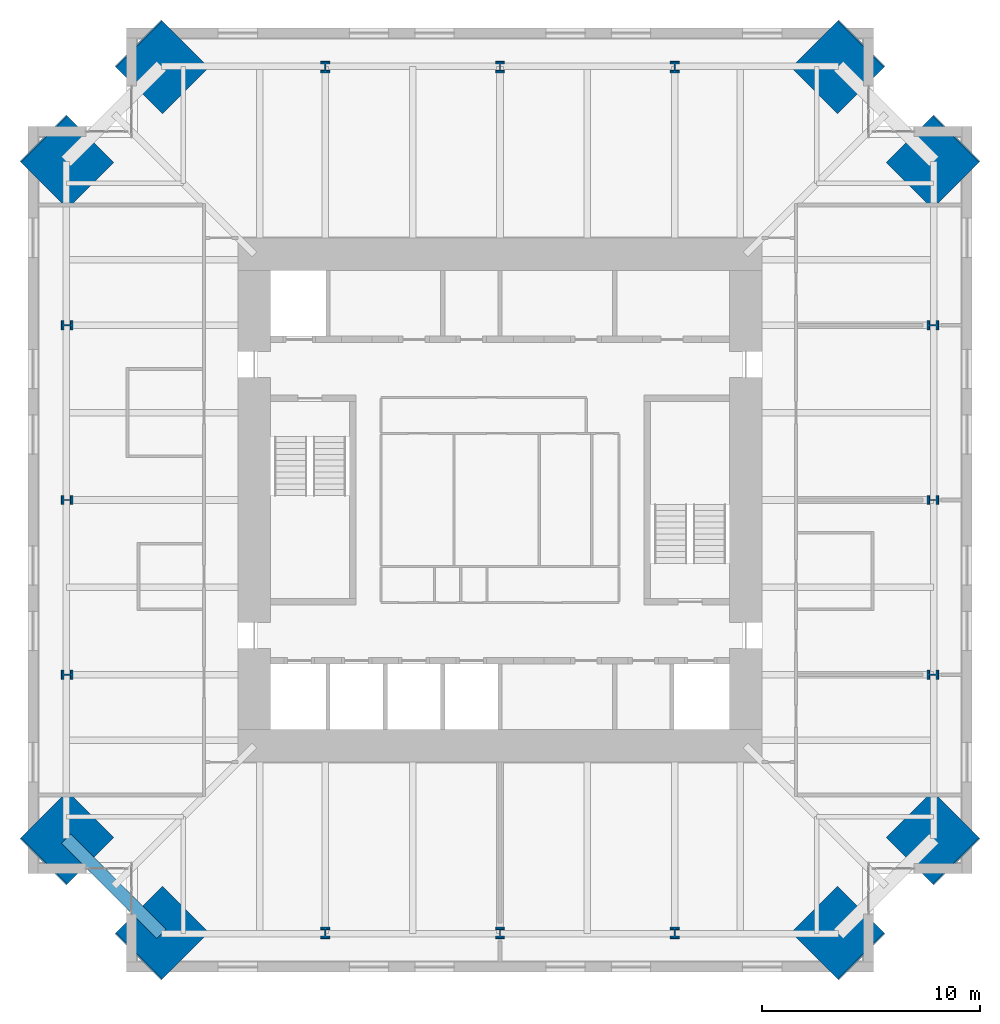
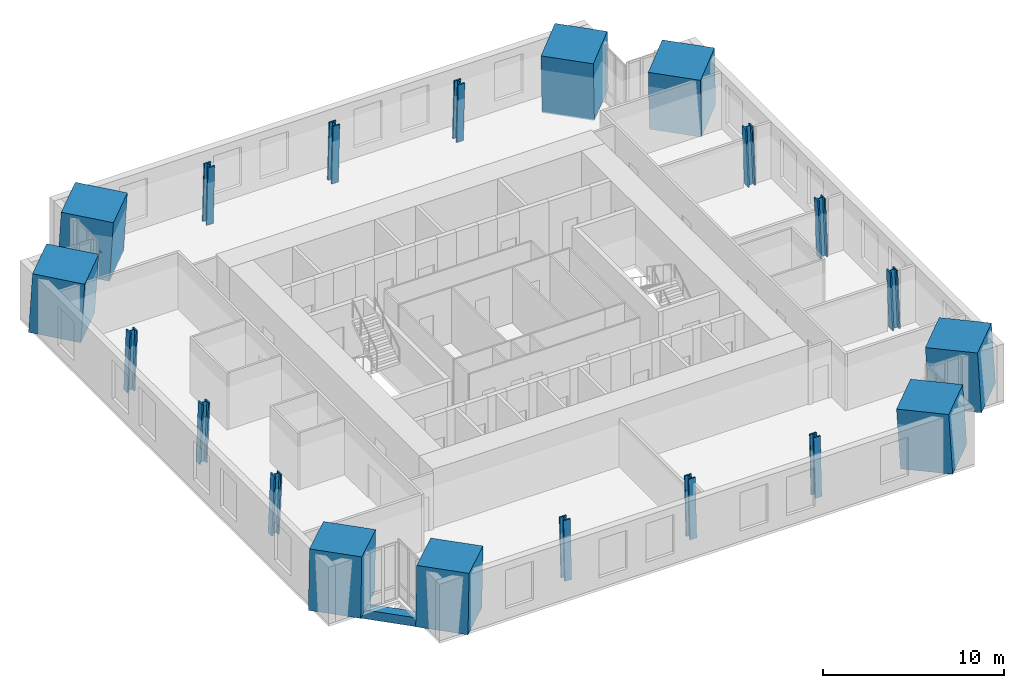
# One storey, part 1 of 16: 20 columns, 1 beam.
"""IFC4 building model written with IfcOpenShell, lengths in metres."""

from ifc_helpers import new_model, si_unit, direction, frame, origin, origin_2d, place, context, subcontext, project, spatial, rectangle, hollow_rectangle, i_section, extrude, material, material_profile, profile_set, type_object, element, save


model = new_model("IFC4")

# Units and contexts
model_context = context("Model", 3, precision=1e-05, world=origin(), true_north=direction((0.0, 1.0)))
body_context = subcontext(model_context, "Body", "Model", "MODEL_VIEW")
ifc_project = project(units=[si_unit("LENGTHUNIT", "METRE"), si_unit("AREAUNIT", "SQUARE_METRE"), si_unit("VOLUMEUNIT", "CUBIC_METRE"), si_unit("PLANEANGLEUNIT", "RADIAN"), si_unit("MASSUNIT", "GRAM", prefix="KILO")], contexts=[model_context])

# Site, building, storey
site_placement = place(None, origin())
site = spatial("IfcSite", under=ifc_project, at=site_placement, CompositionType="ELEMENT")
building_placement = place(site_placement, origin())
building = spatial("IfcBuilding", under=site, at=building_placement, Name="Peilmerk Tower", CompositionType="ELEMENT")
storey_placement = place(building_placement, frame((0.0, 0.0, 273.800048828125)))
storey = spatial("IfcBuildingStorey", under=building, at=storey_placement, Name="L61", CompositionType="ELEMENT", Elevation=273.800048828125)

# Columns
ifc_material_1 = material(Name="Concrete C90/105", Category="concrete")
ifc_material_profile_1 = material_profile(ifc_material_1, rectangle(XDim=3.0, YDim=3.0, at=origin_2d()), Name="RC 3000x3000")
ifc_profile_set_1 = profile_set([ifc_material_profile_1], Name="Concrete C90/105")
column_type_1 = type_object("IfcColumnType", Name="MC3 3000x3000 encased mega column", PredefinedType="COLUMN", material=ifc_profile_set_1)
for number, where, z_axis, x_axis, name in (
    (1, (15.50634765625, 19.8564453125, 0.0), (-0.040217894151, -0.040278830354, 0.998378754189), (0.707641859868, -0.706571297296, 0.0), "Mega column MC3 NE_N L61"),
    (2, (19.8564453125, 15.50634765625, 0.0), (-0.040278830354, -0.040217894151, 0.998378754189), (0.706571297296, -0.707641859868, 0.0), "Mega column MC3 NE_E L61"),
    (3, (19.8564453125, -15.50634765625, 0.0), (-0.040278830354, 0.040217894151, 0.998378754189), (-0.706571297296, -0.707641859868, 0.0), "Mega column MC3 SE_E L61"),
    (4, (15.50634765625, -19.8564453125, 0.0), (-0.040217894151, 0.040278830354, 0.998378754189), (-0.707641859868, -0.706571297296, 0.0), "Mega column MC3 SE_S L61"),
    (5, (-15.50634765625, -19.8564453125, 0.0), (0.040217894151, 0.040278830354, 0.998378754189), (-0.707641859868, 0.706571297296, 0.0), "Mega column MC3 SW_S L61"),
    (6, (-19.8564453125, -15.50634765625, 0.0), (0.040278830354, 0.040217894151, 0.998378754189), (-0.706571297296, 0.707641859868, 0.0), "Mega column MC3 SW_W L61"),
    (7, (-19.8564453125, 15.50634765625, 0.0), (0.040278830354, -0.040217894151, 0.998378754189), (0.706571297296, 0.707641859868, 0.0), "Mega column MC3 NW_W L61"),
    (8, (-15.50634765625, 19.8564453125, 0.0), (0.040217894151, -0.040278830354, 0.998378754189), (0.707641859868, 0.706571297296, 0.0), "Mega column MC3 NW_N L61"),
):
    element("IfcColumn", number, at=place(storey_placement, frame(where, z_axis=z_axis, x_axis=x_axis)), inside=storey, type_object=column_type_1, Name=name, PredefinedType="COLUMN", context=body_context, shape_type="SweptSolid", body=[
        extrude(rectangle(XDim=3.0, YDim=3.0, at=origin_2d()), origin(), (0.0, 0.0, 1.0), 4.006591796875),
    ])
ifc_material_2 = material(Name="Steel S460", Category="steel")
ifc_material_profile_2 = material_profile(ifc_material_2, i_section(OverallWidth=0.431884765625, OverallDepth=0.498046875, WebThickness=0.0556640625, FlangeThickness=0.0888671875, at=origin_2d()), Name="HD 400x744")
ifc_profile_set_2 = profile_set([ifc_material_profile_2], Name="Steel S460")
column_type_2 = type_object("IfcColumnType", Name="SC7 HD 400x744 perimeter column", PredefinedType="COLUMN", material=ifc_profile_set_2)
for number, where, z_axis, x_axis, name in (
    (9, (0.0, 19.8564453125, 0.0), (0.0, -0.040311445006, 0.999187163349), (1.0, 0.0, 0.0), "Perimeter column N+0 L61"),
    (10, (8.0, 19.8564453125, 0.0), (0.0, -0.040311445006, 0.999187163349), (1.0, 0.0, 0.0), "Perimeter column N-8 L61"),
    (11, (-8.0, 19.8564453125, 0.0), (0.0, -0.040311445006, 0.999187163349), (1.0, 0.0, 0.0), "Perimeter column N+8 L61"),
    (12, (19.8564453125, 0.0, 0.0), (-0.040311445006, 0.0, 0.999187163349), (0.0, -1.0, 0.0), "Perimeter column E+0 L61"),
    (13, (19.8564453125, -8.0, 0.0), (-0.040311445006, 0.0, 0.999187163349), (0.0, -1.0, 0.0), "Perimeter column E-8 L61"),
    (14, (19.8564453125, 8.0, 0.0), (-0.040311445006, 0.0, 0.999187163349), (0.0, -1.0, 0.0), "Perimeter column E+8 L61"),
    (15, (0.0, -19.8564453125, 0.0), (0.0, 0.040311445006, 0.999187163349), (-1.0, 0.0, 0.0), "Perimeter column S+0 L61"),
    (16, (-8.0, -19.8564453125, 0.0), (0.0, 0.040311445006, 0.999187163349), (-1.0, 0.0, 0.0), "Perimeter column S-8 L61"),
    (17, (8.0, -19.8564453125, 0.0), (0.0, 0.040311445006, 0.999187163349), (-1.0, 0.0, 0.0), "Perimeter column S+8 L61"),
    (18, (-19.8564453125, 0.0, 0.0), (0.040311445006, 0.0, 0.999187163349), (0.0, 1.0, 0.0), "Perimeter column W+0 L61"),
    (19, (-19.8564453125, 8.0, 0.0), (0.040311445006, 0.0, 0.999187163349), (0.0, 1.0, 0.0), "Perimeter column W-8 L61"),
    (20, (-19.8564453125, -8.0, 0.0), (0.040311445006, 0.0, 0.999187163349), (0.0, 1.0, 0.0), "Perimeter column W+8 L61"),
):
    element("IfcColumn", number, at=place(storey_placement, frame(where, z_axis=z_axis, x_axis=x_axis)), inside=storey, type_object=column_type_2, Name=name, PredefinedType="COLUMN", context=body_context, shape_type="SweptSolid", body=[
        extrude(i_section(OverallWidth=0.431884765625, OverallDepth=0.498046875, WebThickness=0.0556640625, FlangeThickness=0.0888671875, at=origin_2d()), origin(), (0.0, 0.0, 1.0), 4.003173828125),
    ])

# Beam
ifc_material_profile_3 = material_profile(ifc_material_2, hollow_rectangle(XDim=0.60009765625, YDim=0.60009765625, WallThickness=0.06005859375, at=origin_2d()), Name="BOX 600x600x60")
ifc_profile_set_3 = profile_set([ifc_material_profile_3], Name="Steel S460")
beam_type = type_object("IfcBeamType", Name="B20 BOX 600x600x60 notch beam", PredefinedType="SPANDREL", material=ifc_profile_set_3)
beam_placement = place(storey_placement, frame((-15.50634765625, -19.8564453125, -0.469970703125), z_axis=(-0.707106781187, 0.707106781187, 0.0), x_axis=(-0.707106781187, -0.707106781187, 0.0)))
element("IfcBeam", 21, at=beam_placement, inside=storey, type_object=beam_type, Name="Notch beam L61", PredefinedType="SPANDREL", context=body_context, shape_type="SweptSolid", body=[
    extrude(hollow_rectangle(XDim=0.60009765625, YDim=0.60009765625, WallThickness=0.06005859375, at=origin_2d()), origin(), (0.0, 0.0, 1.0), 6.15185546875),
])

save(model, "model.ifc")
